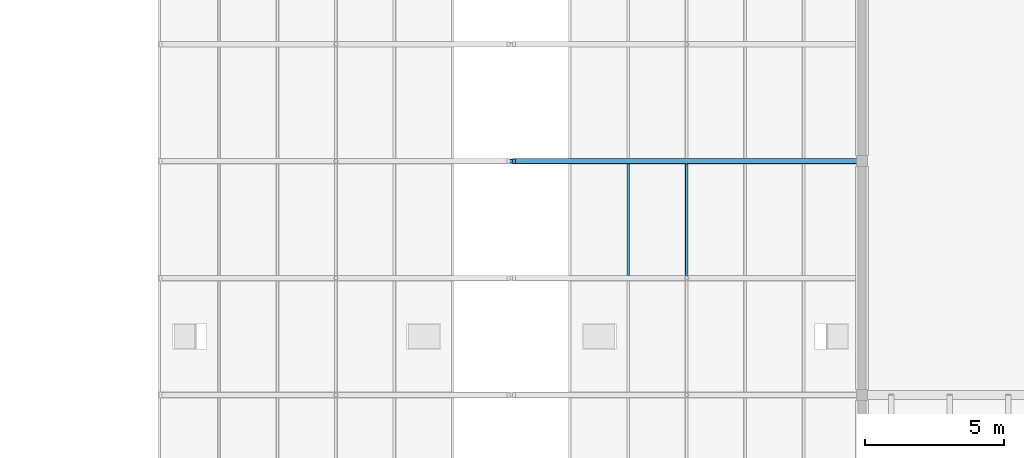
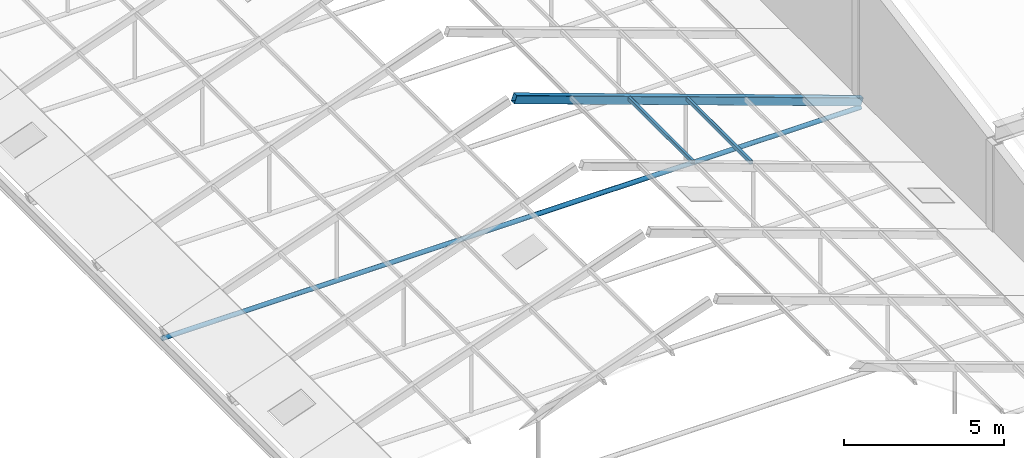
# One storey, part 49 of 116: 4 members.
"""IFC4 building model written with IfcOpenShell, lengths in metres."""

from ifc_helpers import new_model, si_unit, direction, frame, origin, origin_2d, place, context, subcontext, project, spatial, hollow_rectangle, hollow_circle, extrude, material, material_profile, profile_set, type_object, element, save


model = new_model("IFC4")

# Units and contexts
model_context = context("Model", 3, precision=1e-05, world=origin(), true_north=direction((0.0, 1.0)))
body_context = subcontext(model_context, "Body", "Model", "MODEL_VIEW")
ifc_project = project(units=[si_unit("LENGTHUNIT", "METRE"), si_unit("AREAUNIT", "SQUARE_METRE"), si_unit("VOLUMEUNIT", "CUBIC_METRE"), si_unit("PLANEANGLEUNIT", "RADIAN"), si_unit("MASSUNIT", "GRAM", prefix="KILO")], contexts=[model_context])

# Site, building, storey
site_placement = place(None, origin())
site = spatial("IfcSite", under=ifc_project, at=site_placement, CompositionType="ELEMENT")
building_placement = place(site_placement, origin())
building = spatial("IfcBuilding", under=site, at=building_placement, Name="Fescue Hill Polytechnic", CompositionType="ELEMENT")
storey_placement = place(building_placement, frame((0.0, 0.0, 13.5)))
storey = spatial("IfcBuildingStorey", under=building, at=storey_placement, Name="L03", CompositionType="ELEMENT", Elevation=13.5)

# Members
ifc_material = material(Name="Steel 350W (350 MPa)", Category="steel")
ifc_material_profile_1 = material_profile(ifc_material, hollow_rectangle(XDim=0.1015625, YDim=0.15234375, WallThickness=0.00634765625, InnerFilletRadius=0.00634765625, OuterFilletRadius=0.0126953125, at=origin_2d()), Name="Winter garden glazing purlin HSS 152x102x6.4")
ifc_profile_set_1 = profile_set([ifc_material_profile_1], Name="Steel 350W (350 MPa)")
member_type_1 = type_object("IfcMemberType", Name="Winter garden glazing purlin HSS 152x102x6.4", PredefinedType="PURLIN", material=ifc_profile_set_1)
for number, where, z_axis, x_axis, name in (
    (1, (111.30029296875, 71.501708984375, 2.914306640625), (0.0, 1.0, 0.0), (-1.0, 0.0, 0.0), "Winter garden glazing purlin E3 bay 6"),
    (2, (109.200439453125, 71.501708984375, 3.664306640625), (0.0, 1.0, 0.0), (-1.0, 0.0, 0.0), "Winter garden glazing purlin E4 bay 6"),
):
    element("IfcMember", number, at=place(storey_placement, frame(where, z_axis=z_axis, x_axis=x_axis)), inside=storey, type_object=member_type_1, Name=name, PredefinedType="PURLIN", context=body_context, shape_type="SweptSolid", body=[
        extrude(hollow_rectangle(XDim=0.1015625, YDim=0.15234375, WallThickness=0.00634765625, InnerFilletRadius=0.00634765625, OuterFilletRadius=0.0126953125, at=origin_2d()), origin(), (0.0, 0.0, 1.0), 3.99658203125),
    ])
ifc_material_profile_2 = material_profile(ifc_material, hollow_rectangle(XDim=0.203125, YDim=0.3046875, WallThickness=0.009521484375, InnerFilletRadius=0.009521484375, OuterFilletRadius=0.01904296875, at=origin_2d()), Name="Winter garden rafter HSS 305x203x9.5")
ifc_profile_set_2 = profile_set([ifc_material_profile_2], Name="Steel 350W (350 MPa)")
member_type_2 = type_object("IfcMemberType", Name="Winter garden rafter HSS 305x203x9.5", PredefinedType="RAFTER", material=ifc_profile_set_2)
member_1_placement = place(storey_placement, frame((117.60009765625, 75.60009765625, 0.578857421875), z_axis=(-0.941740247025, 0.0, 0.336341057756), x_axis=(0.0, -1.0, 0.0)))
element("IfcMember", 3, at=member_1_placement, inside=storey, type_object=member_type_2, Name="Winter garden rafter E7", PredefinedType="RAFTER", context=body_context, shape_type="SweptSolid", body=[
    extrude(hollow_rectangle(XDim=0.203125, YDim=0.3046875, WallThickness=0.009521484375, InnerFilletRadius=0.009521484375, OuterFilletRadius=0.01904296875, at=origin_2d()), origin(), (0.0, 0.0, 1.0), 13.273193359375),
])
ifc_material_profile_3 = material_profile(ifc_material, hollow_circle(Radius=0.084228515625, WallThickness=0.009521484375, at=origin_2d()), Name="Winter garden tie CHS 168x9.5")
ifc_profile_set_3 = profile_set([ifc_material_profile_3], Name="Steel 350W (350 MPa)")
member_type_3 = type_object("IfcMemberType", Name="Winter garden tie CHS 168x9.5", PredefinedType="STRUT", material=ifc_profile_set_3)
member_2_placement = place(storey_placement, frame((92.39990234375, 75.60009765625, 0.332763671875), z_axis=(1.0, 0.0, 0.0), x_axis=(0.0, 1.0, 0.0)))
element("IfcMember", 4, at=member_2_placement, inside=storey, type_object=member_type_3, Name="Winter garden tie 7", PredefinedType="STRUT", context=body_context, shape_type="SweptSolid", body=[
    extrude(hollow_circle(Radius=0.084228515625, WallThickness=0.009521484375, at=origin_2d()), origin(), (0.0, 0.0, 1.0), 25.2001953125),
])

save(model, "model.ifc")
